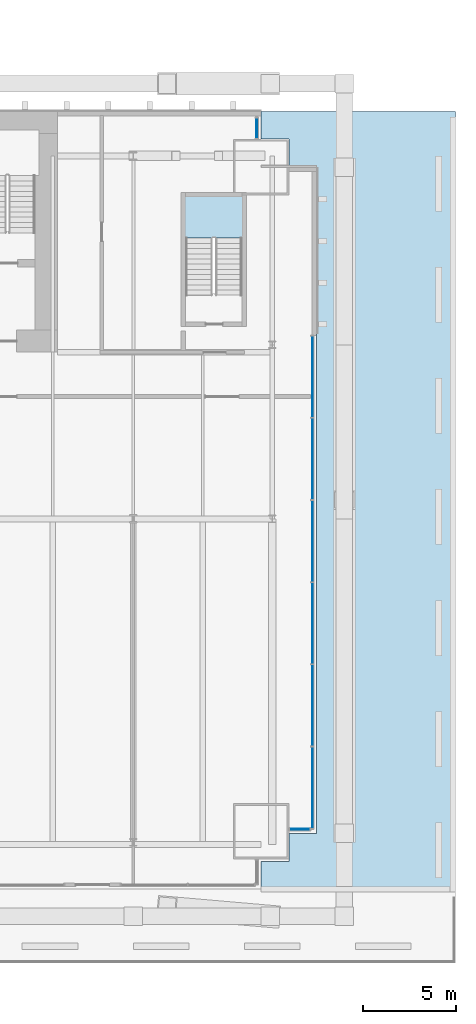
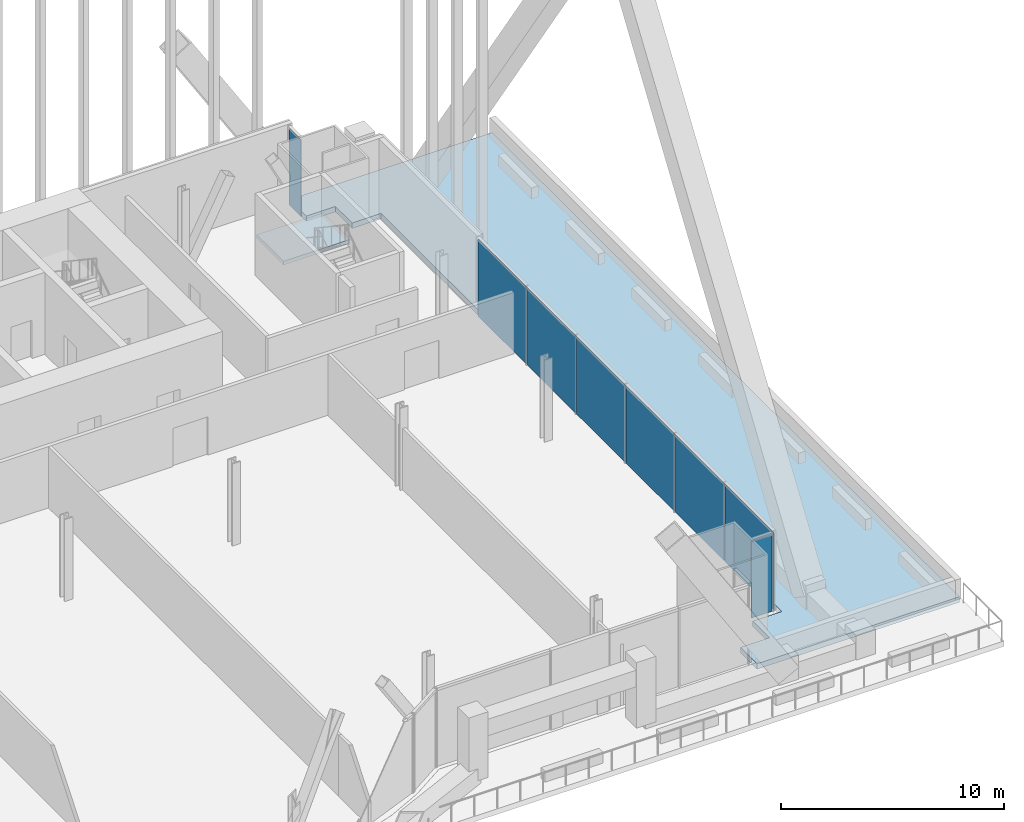
# One storey, part 21 of 29: 8 plates, 2 slabs, 4 elements without a shape of their own.
"""IFC4 building model written with IfcOpenShell, lengths in metres."""

from ifc_helpers import new_model, si_unit, direction, frame, origin, origin_2d, place, context, subcontext, project, spatial, polyline, rectangle, outline, extrude, material, layer, layer_set, type_object, element, aggregate, save


model = new_model("IFC4")

# Units and contexts
model_context = context("Model", 3, precision=1e-05, world=origin(), true_north=direction((0.0, 1.0)))
body_context = subcontext(model_context, "Body", "Model", "MODEL_VIEW")
ifc_project = project(units=[si_unit("LENGTHUNIT", "METRE"), si_unit("AREAUNIT", "SQUARE_METRE"), si_unit("VOLUMEUNIT", "CUBIC_METRE"), si_unit("PLANEANGLEUNIT", "RADIAN"), si_unit("MASSUNIT", "GRAM", prefix="KILO")], contexts=[model_context])

# Site, building, storey
site_placement = place(None, origin())
site = spatial("IfcSite", under=ifc_project, at=site_placement, CompositionType="ELEMENT")
building_placement = place(site_placement, origin())
building = spatial("IfcBuilding", under=site, at=building_placement, Name="Bicima Exchange Tower", CompositionType="ELEMENT")
storey_placement = place(building_placement, frame((0.0, 0.0, 35.0)))
storey = spatial("IfcBuildingStorey", under=building, at=storey_placement, Name="L06", CompositionType="ELEMENT", Elevation=35.0)

# Curtain wall, plates
ifc_material_1 = material(Name="Anodised bronze aluminium", Category="aluminium")
curtain_wall_type_1 = type_object("IfcCurtainWallType", Name="End face glass wall", PredefinedType="NOTDEFINED", material=ifc_material_1)
curtain_wall_1_placement = place(storey_placement, origin())
curtain_wall_1 = element("IfcCurtainWall", 1, at=curtain_wall_1_placement, inside=storey, type_object=curtain_wall_type_1, Name="End face glass wall L06 run 19", PredefinedType="NOTDEFINED")
ifc_material_2 = material(Name="Bronze tinted glass", Category="glass")
ifc_layer_1 = layer(ifc_material_2, 0.031982421875)
ifc_layer_set_1 = layer_set([ifc_layer_1], Name="Bronze tinted glass")
plate_type_1 = type_object("IfcPlateType", Name="End face glass wall glass panel 32", PredefinedType="CURTAIN_PANEL", material=ifc_layer_set_1)
plate_1_placement = place(storey_placement, frame((35.77001953125, -32.08251953125, 0.0), z_axis=(0.0, 0.0, 1.0), x_axis=(0.0, 1.0, 0.0)))
plate_1 = element("IfcPlate", 2, at=plate_1_placement, type_object=plate_type_1, Name="End face glass wall panel 2.1", PredefinedType="CURTAIN_PANEL", context=body_context, shape_type="SweptSolid", body=[
    extrude(rectangle(XDim=4.37841796875, YDim=0.031982421875, at=origin_2d()), origin(), (0.0, 0.0, 1.0), 4.2099609375),
])
plate_2_placement = place(storey_placement, frame((35.77001953125, -27.644287109375, 0.0), z_axis=(0.0, 0.0, 1.0), x_axis=(0.0, 1.0, 0.0)))
plate_2 = element("IfcPlate", 3, at=plate_2_placement, type_object=plate_type_1, Name="End face glass wall panel 3.1", PredefinedType="CURTAIN_PANEL", context=body_context, shape_type="SweptSolid", body=[
    extrude(rectangle(XDim=4.37841796875, YDim=0.031982421875, at=origin_2d()), origin(), (0.0, 0.0, 1.0), 4.2099609375),
])
plate_3_placement = place(storey_placement, frame((35.77001953125, -23.205810546875, 0.0), z_axis=(0.0, 0.0, 1.0), x_axis=(0.0, 1.0, 0.0)))
plate_3 = element("IfcPlate", 4, at=plate_3_placement, type_object=plate_type_1, Name="End face glass wall panel 4.1", PredefinedType="CURTAIN_PANEL", context=body_context, shape_type="SweptSolid", body=[
    extrude(rectangle(XDim=4.37841796875, YDim=0.031982421875, at=origin_2d()), origin(), (0.0, 0.0, 1.0), 4.2099609375),
])
plate_4_placement = place(storey_placement, frame((35.77001953125, -18.767578125, 0.0), z_axis=(0.0, 0.0, 1.0), x_axis=(0.0, 1.0, 0.0)))
plate_4 = element("IfcPlate", 5, at=plate_4_placement, type_object=plate_type_1, Name="End face glass wall panel 5.1", PredefinedType="CURTAIN_PANEL", context=body_context, shape_type="SweptSolid", body=[
    extrude(rectangle(XDim=4.37841796875, YDim=0.031982421875, at=origin_2d()), origin(), (0.0, 0.0, 1.0), 4.2099609375),
])
plate_5_placement = place(storey_placement, frame((35.77001953125, -14.3291015625, 0.0), z_axis=(0.0, 0.0, 1.0), x_axis=(0.0, 1.0, 0.0)))
plate_5 = element("IfcPlate", 6, at=plate_5_placement, type_object=plate_type_1, Name="End face glass wall panel 6.1", PredefinedType="CURTAIN_PANEL", context=body_context, shape_type="SweptSolid", body=[
    extrude(rectangle(XDim=4.37841796875, YDim=0.031982421875, at=origin_2d()), origin(), (0.0, 0.0, 1.0), 4.2099609375),
])
ifc_material_3 = material(Name="Bronze anodised aluminium", Category="aluminium")
ifc_layer_2 = layer(ifc_material_3, 0.031982421875)
ifc_layer_set_2 = layer_set([ifc_layer_2], Name="Bronze anodised aluminium")
plate_type_2 = type_object("IfcPlateType", Name="End face glass wall spandrel panel 32", PredefinedType="CURTAIN_PANEL", material=ifc_layer_set_2)
plate_6_placement = place(storey_placement, frame((35.77001953125, -36.520751953125, 0.0), z_axis=(0.0, 0.0, 1.0), x_axis=(0.0, 1.0, 0.0)))
plate_6 = element("IfcPlate", 7, at=plate_6_placement, type_object=plate_type_2, Name="End face spandrel wall panel 1.1", PredefinedType="CURTAIN_PANEL", context=body_context, shape_type="SweptSolid", body=[
    extrude(rectangle(XDim=4.37841796875, YDim=0.031982421875, at=origin_2d()), origin(), (0.0, 0.0, 1.0), 4.2099609375),
])
aggregate(curtain_wall_1, [plate_6, plate_1, plate_2, plate_3, plate_4, plate_5])

# Curtain wall, plate
curtain_wall_type_2 = type_object("IfcCurtainWallType", Name="Front glass wall", PredefinedType="NOTDEFINED", material=ifc_material_1)
curtain_wall_2_placement = place(storey_placement, origin())
curtain_wall_2 = element("IfcCurtainWall", 8, at=curtain_wall_2_placement, inside=storey, type_object=curtain_wall_type_2, Name="Front glass wall L06 run 18", PredefinedType="NOTDEFINED")
ifc_layer_3 = layer(ifc_material_2, 0.031982421875)
ifc_layer_set_3 = layer_set([ifc_layer_3], Name="Bronze tinted glass")
plate_type_3 = type_object("IfcPlateType", Name="Front glass wall glass panel 32", PredefinedType="CURTAIN_PANEL", material=ifc_layer_set_3)
plate_7_placement = place(storey_placement, frame((35.094970703125, -38.77001953125, 0.0), z_axis=(0.0, 0.0, 1.0), x_axis=(1.0, 0.0, 0.0)))
plate_7 = element("IfcPlate", 9, at=plate_7_placement, type_object=plate_type_3, Name="Front glass wall panel 1.1", PredefinedType="CURTAIN_PANEL", context=body_context, shape_type="SweptSolid", body=[
    extrude(rectangle(XDim=1.070068359375, YDim=0.031982421875, at=origin_2d()), origin(), (0.0, 0.0, 1.0), 4.2099609375),
])
aggregate(curtain_wall_2, [plate_7])

curtain_wall_3_placement = place(storey_placement, origin())
curtain_wall_3 = element("IfcCurtainWall", 10, at=curtain_wall_3_placement, inside=storey, type_object=curtain_wall_type_2, Name="Front glass wall L06 run 20", PredefinedType="NOTDEFINED")
plate_8_placement = place(storey_placement, frame((32.77001953125, -0.905029296875, 0.0), z_axis=(0.0, 0.0, 1.0), x_axis=(0.0, 1.0, 0.0)))
plate_8 = element("IfcPlate", 11, at=plate_8_placement, type_object=plate_type_3, Name="Front glass wall panel 1.1", PredefinedType="CURTAIN_PANEL", context=body_context, shape_type="SweptSolid", body=[
    extrude(rectangle(XDim=1.070068359375, YDim=0.031982421875, at=origin_2d()), origin(), (0.0, 0.0, 1.0), 4.2099609375),
])
aggregate(curtain_wall_3, [plate_8])

# Slab
ifc_material_4 = material(Name="Concrete C40/50", Category="concrete")
ifc_layer_4 = layer(ifc_material_4, 0.300048828125)
ifc_layer_set_4 = layer_set([ifc_layer_4], Name="Concrete C40/50")
slab_type_1 = type_object("IfcSlabType", Name="Reinforced concrete podium roof slab 300", PredefinedType="ROOF", material=ifc_layer_set_4)
slab_1_placement = place(storey_placement, frame((0.0, 0.0, -0.300048828125)))
element("IfcSlab", 12, at=slab_1_placement, inside=storey, type_object=slab_type_1, Name="Planted roof slab", PredefinedType="ROOF", context=body_context, shape_type="SweptSolid", body=[
    extrude(outline(polyline([(43.5, -42.0), (43.5, 0.0), (33.0029296875, 0.0), (33.0029296875, -1.4970703125), (34.5, -1.4970703125), (34.500244140625, -1.4970703125), (34.50048828125, -1.4970703125), (34.5009765625, -1.4970703125), (34.501220703125, -1.497314453125), (34.50146484375, -1.497314453125), (34.501708984375, -1.49755859375), (34.501953125, -1.497802734375), (34.502197265625, -1.497802734375), (34.502197265625, -1.498046875), (34.50244140625, -1.498291015625), (34.502685546875, -1.49853515625), (34.502685546875, -1.498779296875), (34.5029296875, -1.4990234375), (34.5029296875, -1.49951171875), (34.5029296875, -1.499755859375), (34.5029296875, -1.5), (34.5029296875, -2.9970703125), (36.0, -2.9970703125), (36.000244140625, -2.9970703125), (36.00048828125, -2.9970703125), (36.0009765625, -2.9970703125), (36.001220703125, -2.997314453125), (36.00146484375, -2.997314453125), (36.001708984375, -2.99755859375), (36.001953125, -2.997802734375), (36.002197265625, -2.997802734375), (36.002197265625, -2.998046875), (36.00244140625, -2.998291015625), (36.002685546875, -2.99853515625), (36.002685546875, -2.998779296875), (36.0029296875, -2.9990234375), (36.0029296875, -2.99951171875), (36.0029296875, -2.999755859375), (36.0029296875, -3.0), (36.0029296875, -39.0), (36.0029296875, -39.000244140625), (36.0029296875, -39.00048828125), (36.0029296875, -39.0009765625), (36.002685546875, -39.001220703125), (36.002685546875, -39.00146484375), (36.00244140625, -39.001708984375), (36.002197265625, -39.001953125), (36.002197265625, -39.002197265625), (36.001953125, -39.002197265625), (36.001708984375, -39.00244140625), (36.00146484375, -39.002685546875), (36.001220703125, -39.002685546875), (36.0009765625, -39.0029296875), (36.00048828125, -39.0029296875), (36.000244140625, -39.0029296875), (36.0, -39.0029296875), (34.5029296875, -39.0029296875), (34.5029296875, -40.5), (34.5029296875, -40.500244140625), (34.5029296875, -40.50048828125), (34.5029296875, -40.5009765625), (34.502685546875, -40.501220703125), (34.502685546875, -40.50146484375), (34.50244140625, -40.501708984375), (34.502197265625, -40.501953125), (34.502197265625, -40.502197265625), (34.501953125, -40.502197265625), (34.501708984375, -40.50244140625), (34.50146484375, -40.502685546875), (34.501220703125, -40.502685546875), (34.5009765625, -40.5029296875), (34.50048828125, -40.5029296875), (34.500244140625, -40.5029296875), (34.5, -40.5029296875), (33.0029296875, -40.5029296875), (33.0029296875, -42.0), (43.5, -42.0)])), origin(), (0.0, 0.0, 1.0), 0.300048828125),
])

# Stair, slab
ifc_material_5 = material(Name="Concrete C50/60", Category="concrete")
stair_type = type_object("IfcStairType", Name="Exit stair", PredefinedType="HALF_TURN_STAIR", material=ifc_material_5)
stair_placement = place(storey_placement, origin())
stair = element("IfcStair", 13, at=stair_placement, inside=storey, type_object=stair_type, Name="L06 East end exit stair", PredefinedType="HALF_TURN_STAIR")
ifc_layer_5 = layer(ifc_material_5, 0.199951171875)
ifc_layer_set_5 = layer_set([ifc_layer_5], Name="Concrete C50/60")
slab_type_2 = type_object("IfcSlabType", Name="Stair landing slab", PredefinedType="LANDING", material=ifc_layer_set_5)
slab_2_placement = place(storey_placement, frame((0.0, 0.0, 2.050048828125)))
slab_2 = element("IfcSlab", 14, at=slab_2_placement, type_object=slab_type_2, Name="ST-EE landing 1", PredefinedType="LANDING", context=body_context, shape_type="SweptSolid", body=[
    extrude(outline(polyline([(32.175048828125, -6.844970703125), (32.175048828125, -4.425048828125), (28.72509765625, -4.425048828125), (28.72509765625, -6.844970703125), (32.175048828125, -6.844970703125)])), origin(), (0.0, 0.0, 1.0), 0.199951171875),
])
aggregate(stair, [slab_2])

save(model, "model.ifc")
